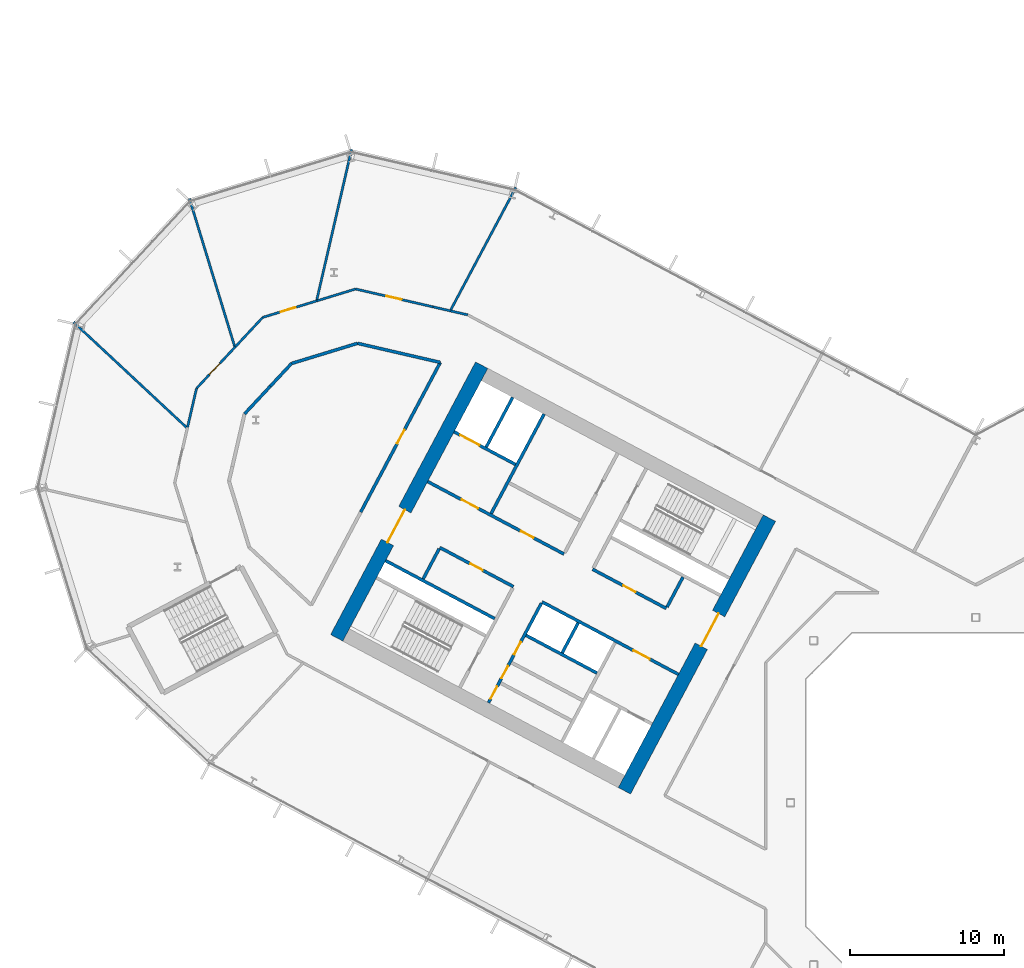
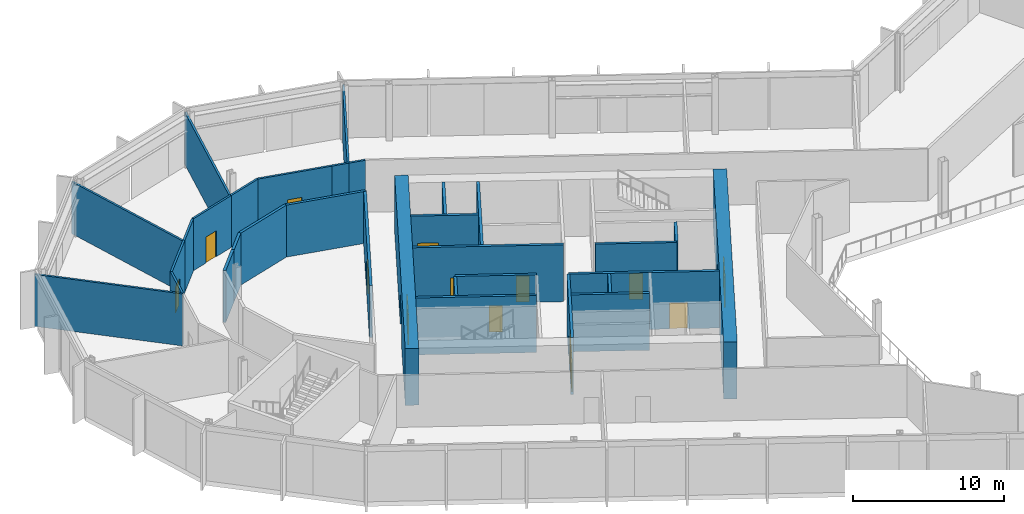
# One storey, part 15 of 30: 32 walls, 15 doors, 15 openings.
"""IFC4 building model written with IfcOpenShell, lengths in metres."""

from ifc_helpers import new_model, si_unit, direction, frame, frame_2d, origin, place, context, subcontext, project, spatial, rectangle, extrude, material, layer, layer_set, type_object, element, fill, save


model = new_model("IFC4")

# Units and contexts
model_context = context("Model", 3, precision=1e-05, world=origin(), true_north=direction((0.0, 1.0)))
body_context = subcontext(model_context, "Body", "Model", "MODEL_VIEW")
ifc_project = project(units=[si_unit("LENGTHUNIT", "METRE"), si_unit("AREAUNIT", "SQUARE_METRE"), si_unit("VOLUMEUNIT", "CUBIC_METRE"), si_unit("PLANEANGLEUNIT", "RADIAN"), si_unit("MASSUNIT", "GRAM", prefix="KILO")], contexts=[model_context])

# Site, building, storey
site_placement = place(None, origin())
site = spatial("IfcSite", under=ifc_project, at=site_placement, CompositionType="ELEMENT")
building_placement = place(site_placement, origin())
building = spatial("IfcBuilding", under=site, at=building_placement, Name="Cormorant Relay Tower", CompositionType="ELEMENT")
storey_placement = place(building_placement, frame((0.0, 0.0, 84.60009765625)))
storey = spatial("IfcBuildingStorey", under=building, at=storey_placement, Name="L16", CompositionType="ELEMENT", Elevation=84.60009765625)

# Walls
ifc_material_1 = material(Name="Concrete 40 MPa", Category="concrete")
ifc_layer_1 = layer(ifc_material_1, 0.199951171875)
ifc_layer_set_1 = layer_set([ifc_layer_1], Name="Core internal wall 200")
wall_type_1 = type_object("IfcWallType", Name="Core internal wall 200", PredefinedType="SOLIDWALL", material=ifc_layer_set_1)
wall_1_placement = place(storey_placement, frame((-25.744140625, 11.64990234375, 0.0), z_axis=(0.0, 0.0, 1.0), x_axis=(-0.469487830541, -0.882938942948, 0.0)))
element("IfcWall", 1, at=wall_1_placement, inside=storey, type_object=wall_type_1, Name="L16 core A shaft and room wall", PredefinedType="SOLIDWALL", context=body_context, shape_type="SweptSolid", body=[
    extrude(rectangle(XDim=2.2001953125, YDim=0.199951171875, at=frame_2d((1.10009765625, 0.0))), origin(), (0.0, 0.0, 1.0), 4.599853515625),
])
ifc_material_2 = material(Name="Concrete 50 MPa", Category="concrete")
ifc_layer_2 = layer(ifc_material_2, 0.199951171875)
ifc_layer_set_2 = layer_set([ifc_layer_2], Name="Core shaft wall 200")
wall_type_2 = type_object("IfcWallType", Name="Core shaft wall 200", PredefinedType="SHEAR", material=ifc_layer_set_2)
wall_2_placement = place(storey_placement, frame((-18.959716796875, 14.611328125, 0.0), z_axis=(0.0, 0.0, 1.0), x_axis=(-0.4694473164, -0.882960484464, 0.0)))
element("IfcWall", 2, at=wall_2_placement, inside=storey, type_object=wall_type_2, Name="L16 core A shaft wall", PredefinedType="SHEAR", context=body_context, shape_type="SweptSolid", body=[
    extrude(rectangle(XDim=2.199951171875, YDim=0.199951171875, at=frame_2d((1.10009765625, 0.0))), origin(), (0.0, 0.0, 1.0), 4.599853515625),
])

# Wall, openings, doors
wall_3_placement = place(storey_placement, frame((-28.128173828125, 12.91748046875, 0.0), z_axis=(0.0, 0.0, 1.0), x_axis=(-0.469454336211, -0.882956752176, 0.0)))
wall_3 = element("IfcWall", 3, at=wall_3_placement, inside=storey, type_object=wall_type_2, Name="L16 core A shaft wall", PredefinedType="SHEAR", context=body_context, shape_type="SweptSolid", body=[
    extrude(rectangle(XDim=7.300048828125, YDim=0.199951171875, at=frame_2d((3.64990234375, 0.0))), origin(), (0.0, 0.0, 1.0), 4.599853515625),
])
opening_1_placement = place(wall_3_placement, frame((2.85009765625, 0.0, 0.0)))
opening_1 = element("IfcOpeningElement", 4, at=opening_1_placement, cuts=wall_3, Name="Opening CDD-129", PredefinedType="OPENING", context=body_context, shape_type="SweptSolid", body=[
    extrude(rectangle(XDim=0.89990234375, YDim=2.10009765625, at=frame_2d((0.449951171875, 1.050048828125))), frame((0.0, 0.10986328125, 0.0), z_axis=(0.0, -1.0, 0.0), x_axis=(1.0, 0.0, 0.0)), (0.0, 0.0, 1.0), 0.219970703125),
])
opening_2_placement = place(wall_3_placement, frame((4.60009765625, 0.0, 0.0)))
opening_2 = element("IfcOpeningElement", 5, at=opening_2_placement, cuts=wall_3, Name="Opening CDD-130", PredefinedType="OPENING", context=body_context, shape_type="SweptSolid", body=[
    extrude(rectangle(XDim=0.89990234375, YDim=2.10009765625, at=frame_2d((0.449951171875, 1.050048828125))), frame((0.0, 0.10986328125, 0.0), z_axis=(0.0, -1.0, 0.0), x_axis=(1.0, 0.0, 0.0)), (0.0, 0.0, 1.0), 0.219970703125),
])
opening_3_placement = place(wall_3_placement, frame((6.10009765625, 0.0, 0.0)))
opening_3 = element("IfcOpeningElement", 6, at=opening_3_placement, cuts=wall_3, Name="Opening CDD-131", PredefinedType="OPENING", context=body_context, shape_type="SweptSolid", body=[
    extrude(rectangle(XDim=0.89990234375, YDim=2.10009765625, at=frame_2d((0.449951171875, 1.050048828125))), frame((0.0, 0.10986328125, 0.0), z_axis=(0.0, -1.0, 0.0), x_axis=(1.0, 0.0, 0.0)), (0.0, 0.0, 1.0), 0.219970703125),
])
ifc_material_3 = material(Name="Steel fire door", Category="steel")
door_type_1 = type_object("IfcDoorType", Name="Core room door 900x2100", OperationType="SINGLE_SWING_LEFT", PredefinedType="DOOR", material=ifc_material_3)
door_1_placement = place(opening_1_placement, origin())
door_1 = element("IfcDoor", 7, at=door_1_placement, inside=storey, type_object=door_type_1, Name="Core room door 900x2100", OperationType="SINGLE_SWING_LEFT", OverallHeight=2.10009765625, OverallWidth=0.89990234375, PredefinedType="DOOR", context=body_context, shape_type="SweptSolid", body=[
    extrude(rectangle(XDim=0.89990234375, YDim=2.10009765625, at=frame_2d((0.449951171875, 1.050048828125))), frame((0.0, 0.02490234375, 0.0), z_axis=(0.0, -1.0, 0.0), x_axis=(1.0, 0.0, 0.0)), (0.0, 0.0, 1.0), 0.050048828125),
])
fill(opening_1, door_1)
door_2_placement = place(opening_2_placement, origin())
door_2 = element("IfcDoor", 8, at=door_2_placement, inside=storey, type_object=door_type_1, Name="Core room door 900x2100", OperationType="SINGLE_SWING_LEFT", OverallHeight=2.10009765625, OverallWidth=0.89990234375, PredefinedType="DOOR", context=body_context, shape_type="SweptSolid", body=[
    extrude(rectangle(XDim=0.89990234375, YDim=2.10009765625, at=frame_2d((0.449951171875, 1.050048828125))), frame((0.0, 0.02490234375, 0.0), z_axis=(0.0, -1.0, 0.0), x_axis=(1.0, 0.0, 0.0)), (0.0, 0.0, 1.0), 0.050048828125),
])
fill(opening_2, door_2)
door_3_placement = place(opening_3_placement, origin())
door_3 = element("IfcDoor", 9, at=door_3_placement, inside=storey, type_object=door_type_1, Name="Core room door 900x2100", OperationType="SINGLE_SWING_LEFT", OverallHeight=2.10009765625, OverallWidth=0.89990234375, PredefinedType="DOOR", context=body_context, shape_type="SweptSolid", body=[
    extrude(rectangle(XDim=0.89990234375, YDim=2.10009765625, at=frame_2d((0.449951171875, 1.050048828125))), frame((0.0, 0.02490234375, 0.0), z_axis=(0.0, -1.0, 0.0), x_axis=(1.0, 0.0, 0.0)), (0.0, 0.0, 1.0), 0.050048828125),
])
fill(opening_3, door_3)

# Walls
wall_4_placement = place(storey_placement, frame((-27.955322265625, 25.170654296875, 0.0), z_axis=(0.0, 0.0, 1.0), x_axis=(-0.469480409012, -0.88294288918, 0.0)))
element("IfcWall", 10, at=wall_4_placement, inside=storey, type_object=wall_type_2, Name="L16 core A shaft wall", PredefinedType="SHEAR", context=body_context, shape_type="SweptSolid", body=[
    extrude(rectangle(XDim=7.300048828125, YDim=0.199951171875, at=frame_2d((3.64990234375, 0.0))), origin(), (0.0, 0.0, 1.0), 4.599853515625),
])
wall_5_placement = place(storey_placement, frame((-34.750244140625, 16.4384765625, 0.0), z_axis=(0.0, 0.0, 1.0), x_axis=(-0.469401318492, -0.882984938828, 0.0)))
element("IfcWall", 11, at=wall_5_placement, inside=storey, type_object=wall_type_2, Name="L16 core A shaft wall", PredefinedType="SHEAR", context=body_context, shape_type="SweptSolid", body=[
    extrude(rectangle(XDim=2.199951171875, YDim=0.199951171875, at=frame_2d((1.10009765625, 0.0))), origin(), (0.0, 0.0, 1.0), 4.599853515625),
])
wall_6_placement = place(storey_placement, frame((-29.986083984375, 26.250244140625, 0.0), z_axis=(0.0, 0.0, 1.0), x_axis=(-0.469494272526, -0.882935517501, 0.0)))
element("IfcWall", 12, at=wall_6_placement, inside=storey, type_object=wall_type_2, Name="L16 core A shaft wall", PredefinedType="SHEAR", context=body_context, shape_type="SweptSolid", body=[
    extrude(rectangle(XDim=3.64990234375, YDim=0.199951171875, at=frame_2d((1.824951171875, 0.0))), origin(), (0.0, 0.0, 1.0), 4.599853515625),
])

# Wall, opening, door
wall_7_placement = place(storey_placement, frame((-29.80419921875, 21.906494140625, 0.0), z_axis=(0.0, 0.0, 1.0), x_axis=(-0.882960433586, 0.469447412093, 0.0)))
wall_7 = element("IfcWall", 13, at=wall_7_placement, inside=storey, type_object=wall_type_2, Name="L16 core A shaft wall", PredefinedType="SHEAR", context=body_context, shape_type="SweptSolid", body=[
    extrude(rectangle(XDim=4.5, YDim=0.199951171875, at=frame_2d((2.25, 0.0))), origin(), (0.0, 0.0, 1.0), 4.599853515625),
])
opening_4_placement = place(wall_7_placement, frame((2.64990234375, 0.0, 0.0)))
opening_4 = element("IfcOpeningElement", 14, at=opening_4_placement, cuts=wall_7, Name="Opening LD3-009", PredefinedType="OPENING", context=body_context, shape_type="SweptSolid", body=[
    extrude(rectangle(XDim=1.39990234375, YDim=2.39990234375, at=frame_2d((0.699951171875, 1.199951171875))), frame((0.0, 0.10986328125, 0.0), z_axis=(0.0, -1.0, 0.0), x_axis=(1.0, 0.0, 0.0)), (0.0, 0.0, 1.0), 0.219970703125),
])
ifc_material_4 = material(Name="Stainless steel 316", Category="steel")
door_type_2 = type_object("IfcDoorType", Name="Lift landing door 1400x2400", OperationType="DOUBLE_DOOR_SLIDING", PredefinedType="DOOR", material=ifc_material_4)
door_4_placement = place(opening_4_placement, origin())
door_4 = element("IfcDoor", 15, at=door_4_placement, inside=storey, type_object=door_type_2, Name="SV1 landing door", OperationType="DOUBLE_DOOR_SLIDING", OverallHeight=2.39990234375, OverallWidth=1.39990234375, PredefinedType="DOOR", context=body_context, shape_type="SweptSolid", body=[
    extrude(rectangle(XDim=1.39990234375, YDim=2.39990234375, at=frame_2d((0.699951171875, 1.199951171875))), frame((0.0, 0.02490234375, 0.0), z_axis=(0.0, -1.0, 0.0), x_axis=(1.0, 0.0, 0.0)), (0.0, 0.0, 1.0), 0.050048828125),
])
fill(opening_4, door_4)

wall_8_placement = place(storey_placement, frame((-20.03955078125, 12.58056640625, 0.0), z_axis=(0.0, 0.0, 1.0), x_axis=(-0.882942972946, 0.469480251476, 0.0)))
wall_8 = element("IfcWall", 16, at=wall_8_placement, inside=storey, type_object=wall_type_2, Name="L16 core A shaft wall", PredefinedType="SHEAR", context=body_context, shape_type="SweptSolid", body=[
    extrude(rectangle(XDim=5.39990234375, YDim=0.199951171875, at=frame_2d((2.699951171875, 0.0))), origin(), (0.0, 0.0, 1.0), 4.599853515625),
])
opening_5_placement = place(wall_8_placement, frame((2.25, 0.0, 0.0)))
opening_5 = element("IfcOpeningElement", 17, at=opening_5_placement, cuts=wall_8, Name="Opening CDD-127", PredefinedType="OPENING", context=body_context, shape_type="SweptSolid", body=[
    extrude(rectangle(XDim=0.89990234375, YDim=2.10009765625, at=frame_2d((0.449951171875, 1.050048828125))), frame((0.0, 0.10986328125, 0.0), z_axis=(0.0, -1.0, 0.0), x_axis=(1.0, 0.0, 0.0)), (0.0, 0.0, 1.0), 0.219970703125),
])
door_5_placement = place(opening_5_placement, frame((0.89990234375, 0.0, 0.0), z_axis=(0.0, 0.0, 1.0), x_axis=(-1.0, 0.0, 0.0)))
door_5 = element("IfcDoor", 18, at=door_5_placement, inside=storey, type_object=door_type_1, Name="Core room door 900x2100", OperationType="SINGLE_SWING_RIGHT", OverallHeight=2.10009765625, OverallWidth=0.89990234375, PredefinedType="DOOR", context=body_context, shape_type="SweptSolid", body=[
    extrude(rectangle(XDim=0.89990234375, YDim=2.10009765625, at=frame_2d((0.449951171875, 1.050048828125))), frame((0.0, 0.02490234375, 0.0), z_axis=(0.0, -1.0, 0.0), x_axis=(1.0, 0.0, 0.0)), (0.0, 0.0, 1.0), 0.050048828125),
])
fill(opening_5, door_5)

# Wall, openings, doors
wall_9_placement = place(storey_placement, frame((-26.66162109375, 16.1015625, 0.0), z_axis=(0.0, 0.0, 1.0), x_axis=(-0.882940221191, 0.469485426614, 0.0)))
wall_9 = element("IfcWall", 19, at=wall_9_placement, inside=storey, type_object=wall_type_2, Name="L16 core A shaft wall", PredefinedType="SHEAR", context=body_context, shape_type="SweptSolid", body=[
    extrude(rectangle(XDim=10.0, YDim=0.199951171875, at=frame_2d((5.0, 0.0))), origin(), (0.0, 0.0, 1.0), 4.599853515625),
])
opening_6_placement = place(wall_9_placement, frame((6.300048828125, 0.0, 0.0)))
opening_6 = element("IfcOpeningElement", 20, at=opening_6_placement, cuts=wall_9, Name="Opening CDC-018", PredefinedType="OPENING", context=body_context, shape_type="SweptSolid", body=[
    extrude(rectangle(XDim=1.199951171875, YDim=2.10009765625, at=frame_2d((0.60009765625, 1.050048828125))), frame((0.0, 0.10986328125, 0.0), z_axis=(0.0, -1.0, 0.0), x_axis=(1.0, 0.0, 0.0)), (0.0, 0.0, 1.0), 0.219970703125),
])
opening_7_placement = place(wall_9_placement, frame((2.25, 0.0, 0.0)))
opening_7 = element("IfcOpeningElement", 21, at=opening_7_placement, cuts=wall_9, Name="Opening CDD-128", PredefinedType="OPENING", context=body_context, shape_type="SweptSolid", body=[
    extrude(rectangle(XDim=0.89990234375, YDim=2.10009765625, at=frame_2d((0.449951171875, 1.050048828125))), frame((0.0, 0.10986328125, 0.0), z_axis=(0.0, -1.0, 0.0), x_axis=(1.0, 0.0, 0.0)), (0.0, 0.0, 1.0), 0.219970703125),
])
ifc_material_5 = material(Name="Steel fire door", Category="steel")
door_type_3 = type_object("IfcDoorType", Name="Core lobby door 1200x2100", OperationType="SINGLE_SWING_LEFT", PredefinedType="DOOR", material=ifc_material_5)
door_6_placement = place(opening_6_placement, origin())
door_6 = element("IfcDoor", 22, at=door_6_placement, inside=storey, type_object=door_type_3, Name="Core lobby door 1200x2100", OperationType="SINGLE_SWING_LEFT", OverallHeight=2.10009765625, OverallWidth=1.199951171875, PredefinedType="DOOR", context=body_context, shape_type="SweptSolid", body=[
    extrude(rectangle(XDim=1.199951171875, YDim=2.10009765625, at=frame_2d((0.60009765625, 1.050048828125))), frame((0.0, 0.02490234375, 0.0), z_axis=(0.0, -1.0, 0.0), x_axis=(1.0, 0.0, 0.0)), (0.0, 0.0, 1.0), 0.050048828125),
])
fill(opening_6, door_6)
door_7_placement = place(opening_7_placement, origin())
door_7 = element("IfcDoor", 23, at=door_7_placement, inside=storey, type_object=door_type_1, Name="Core room door 900x2100", OperationType="SINGLE_SWING_LEFT", OverallHeight=2.10009765625, OverallWidth=0.89990234375, PredefinedType="DOOR", context=body_context, shape_type="SweptSolid", body=[
    extrude(rectangle(XDim=0.89990234375, YDim=2.10009765625, at=frame_2d((0.449951171875, 1.050048828125))), frame((0.0, 0.02490234375, 0.0), z_axis=(0.0, -1.0, 0.0), x_axis=(1.0, 0.0, 0.0)), (0.0, 0.0, 1.0), 0.050048828125),
])
fill(opening_7, door_7)

# Wall, opening, door
wall_10_placement = place(storey_placement, frame((-19.251708984375, 8.31103515625, 0.0), z_axis=(0.0, 0.0, 1.0), x_axis=(-0.882955722218, 0.469456273365, 0.0)))
wall_10 = element("IfcWall", 24, at=wall_10_placement, inside=storey, type_object=wall_type_2, Name="L16 core A shaft wall", PredefinedType="SHEAR", context=body_context, shape_type="SweptSolid", body=[
    extrude(rectangle(XDim=10.0, YDim=0.199951171875, at=frame_2d((5.0, 0.0))), origin(), (0.0, 0.0, 1.0), 4.599853515625),
])
opening_8_placement = place(wall_10_placement, frame((2.10009765625, 0.0, 0.0)))
opening_8 = element("IfcOpeningElement", 25, at=opening_8_placement, cuts=wall_10, Name="Opening CDC-017", PredefinedType="OPENING", context=body_context, shape_type="SweptSolid", body=[
    extrude(rectangle(XDim=1.199951171875, YDim=2.10009765625, at=frame_2d((0.60009765625, 1.050048828125))), frame((0.0, 0.10986328125, 0.0), z_axis=(0.0, -1.0, 0.0), x_axis=(1.0, 0.0, 0.0)), (0.0, 0.0, 1.0), 0.219970703125),
])
door_8_placement = place(opening_8_placement, origin())
door_8 = element("IfcDoor", 26, at=door_8_placement, inside=storey, type_object=door_type_3, Name="Core lobby door 1200x2100", OperationType="SINGLE_SWING_RIGHT", OverallHeight=2.10009765625, OverallWidth=1.199951171875, PredefinedType="DOOR", context=body_context, shape_type="SweptSolid", body=[
    extrude(rectangle(XDim=1.199951171875, YDim=2.10009765625, at=frame_2d((0.60009765625, 1.050048828125))), frame((0.0, 0.02490234375, 0.0), z_axis=(0.0, -1.0, 0.0), x_axis=(1.0, 0.0, 0.0)), (0.0, 0.0, 1.0), 0.050048828125),
])
fill(opening_8, door_8)

wall_11_placement = place(storey_placement, frame((-29.935302734375, 13.991455078125, 0.0), z_axis=(0.0, 0.0, 1.0), x_axis=(-0.882952937579, 0.469461510692, 0.0)))
wall_11 = element("IfcWall", 27, at=wall_11_placement, inside=storey, type_object=wall_type_2, Name="L16 core A shaft wall", PredefinedType="SHEAR", context=body_context, shape_type="SweptSolid", body=[
    extrude(rectangle(XDim=5.400146484375, YDim=0.199951171875, at=frame_2d((2.7001953125, 0.0))), origin(), (0.0, 0.0, 1.0), 4.599853515625),
])
opening_9_placement = place(wall_11_placement, frame((2.25, 0.0, 0.0)))
opening_9 = element("IfcOpeningElement", 28, at=opening_9_placement, cuts=wall_11, Name="Opening CDD-126", PredefinedType="OPENING", context=body_context, shape_type="SweptSolid", body=[
    extrude(rectangle(XDim=0.89990234375, YDim=2.10009765625, at=frame_2d((0.449951171875, 1.050048828125))), frame((0.0, 0.10986328125, 0.0), z_axis=(0.0, -1.0, 0.0), x_axis=(1.0, 0.0, 0.0)), (0.0, 0.0, 1.0), 0.219970703125),
])
door_9_placement = place(opening_9_placement, origin())
door_9 = element("IfcDoor", 29, at=door_9_placement, inside=storey, type_object=door_type_1, Name="Core room door 900x2100", OperationType="SINGLE_SWING_LEFT", OverallHeight=2.10009765625, OverallWidth=0.89990234375, PredefinedType="DOOR", context=body_context, shape_type="SweptSolid", body=[
    extrude(rectangle(XDim=0.89990234375, YDim=2.10009765625, at=frame_2d((0.449951171875, 1.050048828125))), frame((0.0, 0.02490234375, 0.0), z_axis=(0.0, -1.0, 0.0), x_axis=(1.0, 0.0, 0.0)), (0.0, 0.0, 1.0), 0.050048828125),
])
fill(opening_9, door_9)

# Walls
wall_12_placement = place(storey_placement, frame((-24.5283203125, 8.3984375, 0.0), z_axis=(0.0, 0.0, 1.0), x_axis=(-0.882953967957, 0.469459572775, 0.0)))
element("IfcWall", 30, at=wall_12_placement, inside=storey, type_object=wall_type_2, Name="L16 core A shaft wall", PredefinedType="SHEAR", context=body_context, shape_type="SweptSolid", body=[
    extrude(rectangle(XDim=5.199951171875, YDim=0.199951171875, at=frame_2d((2.60009765625, 0.0))), origin(), (0.0, 0.0, 1.0), 4.599853515625),
])
wall_13_placement = place(storey_placement, frame((-31.150390625, 11.91943359375, 0.0), z_axis=(0.0, 0.0, 1.0), x_axis=(-0.882940221191, 0.469485426614, 0.0)))
element("IfcWall", 31, at=wall_13_placement, inside=storey, type_object=wall_type_2, Name="L16 core A shaft wall", PredefinedType="SHEAR", context=body_context, shape_type="SweptSolid", body=[
    extrude(rectangle(XDim=8.0, YDim=0.199951171875, at=frame_2d((4.0, 0.0))), origin(), (0.0, 0.0, 1.0), 4.599853515625),
])

# Wall, opening, door
ifc_material_6 = material(Name="Concrete 70 MPa", Category="concrete")
ifc_layer_3 = layer(ifc_material_6, 0.89990234375)
ifc_layer_set_3 = layer_set([ifc_layer_3], Name="Core wall 900")
wall_type_3 = type_object("IfcWallType", Name="Core wall 900", PredefinedType="SHEAR", material=ifc_layer_set_3)
wall_14_placement = place(storey_placement, frame((-13.361572265625, 18.43017578125, 0.0), z_axis=(0.0, 0.0, 1.0), x_axis=(-0.46947084998, -0.882947971864, 0.0)))
wall_14 = element("IfcWall", 32, at=wall_14_placement, inside=storey, type_object=wall_type_3, Name="L16 core A wall", PredefinedType="SHEAR", context=body_context, shape_type="SweptSolid", body=[
    extrude(rectangle(XDim=20.0, YDim=0.89990234375, at=frame_2d((10.0, 0.0))), origin(), (0.0, 0.0, 1.0), 4.599853515625),
])
opening_10_placement = place(wall_14_placement, frame((7.0, 0.0, 0.0)))
opening_10 = element("IfcOpeningElement", 33, at=opening_10_placement, cuts=wall_14, Name="Opening CDA-021", PredefinedType="OPENING", context=body_context, shape_type="SweptSolid", body=[
    extrude(rectangle(XDim=2.39990234375, YDim=2.39990234375, at=frame_2d((1.199951171875, 1.199951171875))), frame((0.0, 0.4599609375, 0.0), z_axis=(0.0, -1.0, 0.0), x_axis=(1.0, 0.0, 0.0)), (0.0, 0.0, 1.0), 0.919921875),
])
ifc_material_7 = material(Name="Steel fire door", Category="steel")
door_type_4 = type_object("IfcDoorType", Name="Core lobby door 2400x2400", OperationType="DOUBLE_DOOR_SINGLE_SWING", PredefinedType="DOOR", material=ifc_material_7)
door_10_placement = place(opening_10_placement, origin())
door_10 = element("IfcDoor", 34, at=door_10_placement, inside=storey, type_object=door_type_4, Name="Core lobby door 2400x2400", OperationType="DOUBLE_DOOR_SINGLE_SWING", OverallHeight=2.39990234375, OverallWidth=2.39990234375, PredefinedType="DOOR", context=body_context, shape_type="SweptSolid", body=[
    extrude(rectangle(XDim=2.39990234375, YDim=2.39990234375, at=frame_2d((1.199951171875, 1.199951171875))), frame((0.0, 0.02490234375, 0.0), z_axis=(0.0, -1.0, 0.0), x_axis=(1.0, 0.0, 0.0)), (0.0, 0.0, 1.0), 0.050048828125),
])
fill(opening_10, door_10)

wall_15_placement = place(storey_placement, frame((-31.99169921875, 28.3359375, 0.0), z_axis=(0.0, 0.0, 1.0), x_axis=(-0.46947084998, -0.882947971864, 0.0)))
wall_15 = element("IfcWall", 35, at=wall_15_placement, inside=storey, type_object=wall_type_3, Name="L16 core A wall", PredefinedType="SHEAR", context=body_context, shape_type="SweptSolid", body=[
    extrude(rectangle(XDim=20.0, YDim=0.89990234375, at=frame_2d((10.0, 0.0))), origin(), (0.0, 0.0, 1.0), 4.599853515625),
])
opening_11_placement = place(wall_15_placement, frame((10.60009765625, 0.0, 0.0)))
opening_11 = element("IfcOpeningElement", 36, at=opening_11_placement, cuts=wall_15, Name="Opening CDA-018", PredefinedType="OPENING", context=body_context, shape_type="SweptSolid", body=[
    extrude(rectangle(XDim=2.39990234375, YDim=2.39990234375, at=frame_2d((1.199951171875, 1.199951171875))), frame((0.0, 0.4599609375, 0.0), z_axis=(0.0, -1.0, 0.0), x_axis=(1.0, 0.0, 0.0)), (0.0, 0.0, 1.0), 0.919921875),
])
door_11_placement = place(opening_11_placement, origin())
door_11 = element("IfcDoor", 37, at=door_11_placement, inside=storey, type_object=door_type_4, Name="Core lobby door 2400x2400", OperationType="DOUBLE_DOOR_SINGLE_SWING", OverallHeight=2.39990234375, OverallWidth=2.39990234375, PredefinedType="DOOR", context=body_context, shape_type="SweptSolid", body=[
    extrude(rectangle(XDim=2.39990234375, YDim=2.39990234375, at=frame_2d((1.199951171875, 1.199951171875))), frame((0.0, 0.02490234375, 0.0), z_axis=(0.0, -1.0, 0.0), x_axis=(1.0, 0.0, 0.0)), (0.0, 0.0, 1.0), 0.050048828125),
])
fill(opening_11, door_11)

# Walls
ifc_material_8 = material(Name="Fire-rated gypsum board partition")
ifc_layer_4 = layer(ifc_material_8, 0.199951171875)
ifc_layer_set_4 = layer_set([ifc_layer_4], Name="Fire-rated gypsum partition 200")
wall_type_4 = type_object("IfcWallType", Name="Fire-rated gypsum partition 200", PredefinedType="PARTITIONING", material=ifc_layer_set_4)
wall_16_placement = place(storey_placement, frame((-47.35107421875, 25.177001953125, 0.0), z_axis=(0.0, 0.0, 1.0), x_axis=(0.681950982626, 0.731397878925, 0.0)))
element("IfcWall", 38, at=wall_16_placement, inside=storey, type_object=wall_type_4, Name="wall/L16/part/13", PredefinedType="PARTITIONING", context=body_context, shape_type="SweptSolid", body=[
    extrude(rectangle(XDim=2.4638671875, YDim=0.199951171875, at=frame_2d((1.23193359375, 0.0))), origin(), (0.0, 0.0, 1.0), 4.199951171875),
])
wall_17_placement = place(storey_placement, frame((-40.033935546875, 29.7490234375, 0.0), z_axis=(0.0, 0.0, 1.0), x_axis=(-0.956357512161, -0.29219909126, 0.0)))
element("IfcWall", 39, at=wall_17_placement, inside=storey, type_object=wall_type_4, Name="wall/L16/part/19", PredefinedType="PARTITIONING", context=body_context, shape_type="SweptSolid", body=[
    extrude(rectangle(XDim=4.4658203125, YDim=0.199951171875, at=frame_2d((2.23291015625, 0.0))), origin(), (0.0, 0.0, 1.0), 4.199951171875),
])
wall_18_placement = place(storey_placement, frame((-44.304931640625, 28.444091796875, 0.0), z_axis=(0.0, 0.0, 1.0), x_axis=(-0.681931663517, -0.731415891469, 0.0)))
element("IfcWall", 40, at=wall_18_placement, inside=storey, type_object=wall_type_4, Name="wall/L16/part/20", PredefinedType="PARTITIONING", context=body_context, shape_type="SweptSolid", body=[
    extrude(rectangle(XDim=2.003173828125, YDim=0.199951171875, at=frame_2d((1.00146484375, 0.0))), origin(), (0.0, 0.0, 1.0), 4.199951171875),
])
wall_19_placement = place(storey_placement, frame((-34.673095703125, 28.511962890625, 0.0), z_axis=(0.0, 0.0, 1.0), x_axis=(-0.974393439342, 0.224849784003, 0.0)))
element("IfcWall", 41, at=wall_19_placement, inside=storey, type_object=wall_type_4, Name="wall/L16/part/31", PredefinedType="PARTITIONING", context=body_context, shape_type="SweptSolid", body=[
    extrude(rectangle(XDim=5.501708984375, YDim=0.199951171875, at=frame_2d((2.7509765625, 0.0))), origin(), (0.0, 0.0, 1.0), 4.199951171875),
])

# Wall, opening, door
wall_20_placement = place(storey_placement, frame((-34.673095703125, 28.511962890625, 0.0), z_axis=(0.0, 0.0, 1.0), x_axis=(-0.469440333182, -0.882964197226, 0.0)))
wall_20 = element("IfcWall", 42, at=wall_20_placement, inside=storey, type_object=wall_type_4, Name="wall/L16/part/32", PredefinedType="PARTITIONING", context=body_context, shape_type="SweptSolid", body=[
    extrude(rectangle(XDim=10.9765625, YDim=0.199951171875, at=frame_2d((5.48828125, 0.0))), origin(), (0.0, 0.0, 1.0), 4.199951171875),
])
opening_12_placement = place(wall_20_placement, frame((4.949951171875, 0.0, 0.0)))
opening_12 = element("IfcOpeningElement", 43, at=opening_12_placement, cuts=wall_20, Name="Opening FD1-092", PredefinedType="OPENING", context=body_context, shape_type="SweptSolid", body=[
    extrude(rectangle(XDim=1.0, YDim=2.10009765625, at=frame_2d((0.5, 1.050048828125))), frame((0.0, 0.10986328125, 0.0), z_axis=(0.0, -1.0, 0.0), x_axis=(1.0, 0.0, 0.0)), (0.0, 0.0, 1.0), 0.219970703125),
])
ifc_material_9 = material(Name="Fire-rated steel door", Category="steel")
door_type_5 = type_object("IfcDoorType", Name="Fire door 1000 x 2100", OperationType="SINGLE_SWING_LEFT", PredefinedType="DOOR", material=ifc_material_9)
door_12_placement = place(opening_12_placement, origin())
door_12 = element("IfcDoor", 44, at=door_12_placement, inside=storey, type_object=door_type_5, Name="door/L16/1", OperationType="SINGLE_SWING_LEFT", OverallHeight=2.10009765625, OverallWidth=1.0, PredefinedType="DOOR", context=body_context, shape_type="SweptSolid", body=[
    extrude(rectangle(XDim=1.0, YDim=2.10009765625, at=frame_2d((0.5, 1.050048828125))), frame((0.0, 0.02490234375, 0.0), z_axis=(0.0, -1.0, 0.0), x_axis=(1.0, 0.0, 0.0)), (0.0, 0.0, 1.0), 0.050048828125),
])
fill(opening_12, door_12)

# Wall
ifc_material_10 = material(Name="Gypsum board partition")
ifc_layer_5 = layer(ifc_material_10, 0.14990234375)
ifc_layer_set_5 = layer_set([ifc_layer_5], Name="Gypsum board partition 150")
wall_type_5 = type_object("IfcWallType", Name="Gypsum board partition 150", PredefinedType="PARTITIONING", material=ifc_layer_set_5)
wall_21_placement = place(storey_placement, frame((-58.427001953125, 31.125, 0.0), z_axis=(0.0, 0.0, 1.0), x_axis=(0.731473963822, -0.681869371838, 0.0)))
element("IfcWall", 45, at=wall_21_placement, inside=storey, type_object=wall_type_5, Name="wall/L16/part/2", PredefinedType="PARTITIONING", context=body_context, shape_type="SweptSolid", body=[
    extrude(rectangle(XDim=10.079833984375, YDim=0.14990234375, at=frame_2d((5.0400390625, 0.0))), origin(), (0.0, 0.0, 1.0), 4.199951171875),
])

# Wall, opening, door
wall_22_placement = place(storey_placement, frame((-47.93310546875, 29.5380859375, 0.0), z_axis=(0.0, 0.0, 1.0), x_axis=(-0.682088017664, -0.731270084277, 0.0)))
wall_22 = element("IfcWall", 46, at=wall_22_placement, inside=storey, type_object=wall_type_5, Name="wall/L16/part/7", PredefinedType="PARTITIONING", context=body_context, shape_type="SweptSolid", body=[
    extrude(rectangle(XDim=3.703125, YDim=0.14990234375, at=frame_2d((1.8515625, 0.0))), origin(), (0.0, 0.0, 1.0), 4.199951171875),
])
opening_13_placement = place(wall_22_placement, frame((1.486083984375, 0.0, 0.0)))
opening_13 = element("IfcOpeningElement", 47, at=opening_13_placement, cuts=wall_22, Name="Opening D1-036", PredefinedType="OPENING", context=body_context, shape_type="SweptSolid", body=[
    extrude(rectangle(XDim=1.0, YDim=2.10009765625, at=frame_2d((0.5, 1.050048828125))), frame((0.0, 0.0849609375, 0.0), z_axis=(0.0, -1.0, 0.0), x_axis=(1.0, 0.0, 0.0)), (0.0, 0.0, 1.0), 0.169921875),
])
ifc_material_11 = material(Name="Painted steel door", Category="steel")
door_type_6 = type_object("IfcDoorType", Name="Single door 1000 x 2100", OperationType="SINGLE_SWING_LEFT", PredefinedType="DOOR", material=ifc_material_11)
door_13_placement = place(opening_13_placement, frame((1.0, 0.0, 0.0), z_axis=(0.0, 0.0, 1.0), x_axis=(-1.0, 0.0, 0.0)))
door_13 = element("IfcDoor", 48, at=door_13_placement, inside=storey, type_object=door_type_6, Name="door/L16/15", OperationType="SINGLE_SWING_RIGHT", OverallHeight=2.10009765625, OverallWidth=1.0, PredefinedType="DOOR", context=body_context, shape_type="SweptSolid", body=[
    extrude(rectangle(XDim=1.0, YDim=2.10009765625, at=frame_2d((0.5, 1.050048828125))), frame((0.0, 0.02490234375, 0.0), z_axis=(0.0, -1.0, 0.0), x_axis=(1.0, 0.0, 0.0)), (0.0, 0.0, 1.0), 0.050048828125),
])
fill(opening_13, door_13)

# Walls
wall_23_placement = place(storey_placement, frame((-50.458984375, 26.830078125, 0.0), z_axis=(0.0, 0.0, 1.0), x_axis=(-0.225121568864, -0.974330682691, 0.0)))
element("IfcWall", 49, at=wall_23_placement, inside=storey, type_object=wall_type_5, Name="wall/L16/part/8", PredefinedType="PARTITIONING", context=body_context, shape_type="SweptSolid", body=[
    extrude(rectangle(XDim=2.58544921875, YDim=0.14990234375, at=frame_2d((1.292724609375, 0.0))), origin(), (0.0, 0.0, 1.0), 4.199951171875),
])
wall_24_placement = place(storey_placement, frame((-50.922119140625, 39.133056640625, 0.0), z_axis=(0.0, 0.0, 1.0), x_axis=(0.292463432429, -0.956276707178, 0.0)))
element("IfcWall", 50, at=wall_24_placement, inside=storey, type_object=wall_type_5, Name="wall/L16/part/9", PredefinedType="PARTITIONING", context=body_context, shape_type="SweptSolid", body=[
    extrude(rectangle(XDim=10.079833984375, YDim=0.14990234375, at=frame_2d((5.0400390625, 0.0))), origin(), (0.0, 0.0, 1.0), 4.199951171875),
])

# Wall, opening, door
wall_25_placement = place(storey_placement, frame((-42.653076171875, 32.50390625, 0.0), z_axis=(0.0, 0.0, 1.0), x_axis=(-0.95632425254, -0.292307926687, 0.0)))
wall_25 = element("IfcWall", 51, at=wall_25_placement, inside=storey, type_object=wall_type_5, Name="wall/L16/part/17", PredefinedType="PARTITIONING", context=body_context, shape_type="SweptSolid", body=[
    extrude(rectangle(XDim=3.677490234375, YDim=0.14990234375, at=frame_2d((1.8388671875, 0.0))), origin(), (0.0, 0.0, 1.0), 4.199951171875),
])
opening_14_placement = place(wall_25_placement, frame((1.4609375, 0.0, 0.0)))
opening_14 = element("IfcOpeningElement", 52, at=opening_14_placement, cuts=wall_25, Name="Opening D1-035", PredefinedType="OPENING", context=body_context, shape_type="SweptSolid", body=[
    extrude(rectangle(XDim=1.0, YDim=2.10009765625, at=frame_2d((0.5, 1.050048828125))), frame((0.0, 0.0849609375, 0.0), z_axis=(0.0, -1.0, 0.0), x_axis=(1.0, 0.0, 0.0)), (0.0, 0.0, 1.0), 0.169921875),
])
door_14_placement = place(opening_14_placement, frame((1.0, 0.0, 0.0), z_axis=(0.0, 0.0, 1.0), x_axis=(-1.0, 0.0, 0.0)))
door_14 = element("IfcDoor", 53, at=door_14_placement, inside=storey, type_object=door_type_6, Name="door/L16/14", OperationType="SINGLE_SWING_RIGHT", OverallHeight=2.10009765625, OverallWidth=1.0, PredefinedType="DOOR", context=body_context, shape_type="SweptSolid", body=[
    extrude(rectangle(XDim=1.0, YDim=2.10009765625, at=frame_2d((0.5, 1.050048828125))), frame((0.0, 0.02490234375, 0.0), z_axis=(0.0, -1.0, 0.0), x_axis=(1.0, 0.0, 0.0)), (0.0, 0.0, 1.0), 0.050048828125),
])
fill(opening_14, door_14)

# Walls
wall_26_placement = place(storey_placement, frame((-46.169921875, 31.428955078125, 0.0), z_axis=(0.0, 0.0, 1.0), x_axis=(-0.68198172509, -0.731369213628, 0.0)))
element("IfcWall", 54, at=wall_26_placement, inside=storey, type_object=wall_type_5, Name="wall/L16/part/18", PredefinedType="PARTITIONING", context=body_context, shape_type="SweptSolid", body=[
    extrude(rectangle(XDim=2.58544921875, YDim=0.14990234375, at=frame_2d((1.292724609375, 0.0))), origin(), (0.0, 0.0, 1.0), 4.199951171875),
])
wall_27_placement = place(storey_placement, frame((-40.4189453125, 42.31494140625, 0.0), z_axis=(0.0, 0.0, 1.0), x_axis=(-0.224924959868, -0.974376088802, 0.0)))
element("IfcWall", 55, at=wall_27_placement, inside=storey, type_object=wall_type_5, Name="wall/L16/part/28", PredefinedType="PARTITIONING", context=body_context, shape_type="SweptSolid", body=[
    extrude(rectangle(XDim=10.079345703125, YDim=0.14990234375, at=frame_2d((5.03955078125, 0.0))), origin(), (0.0, 0.0, 1.0), 4.199951171875),
])
wall_28_placement = place(storey_placement, frame((-40.156005859375, 33.26708984375, 0.0), z_axis=(0.0, 0.0, 1.0), x_axis=(-0.956331245239, -0.292285048164, 0.0)))
element("IfcWall", 56, at=wall_28_placement, inside=storey, type_object=wall_type_5, Name="wall/L16/part/29", PredefinedType="PARTITIONING", context=body_context, shape_type="SweptSolid", body=[
    extrude(rectangle(XDim=2.611083984375, YDim=0.14990234375, at=frame_2d((1.3056640625, 0.0))), origin(), (0.0, 0.0, 1.0), 4.199951171875),
])

# Wall, opening, door
wall_29_placement = place(storey_placement, frame((-40.156982421875, 33.26708984375, 0.0), z_axis=(0.0, 0.0, 1.0), x_axis=(0.974407195754, -0.224790161846, 0.0)))
wall_29 = element("IfcWall", 57, at=wall_29_placement, inside=storey, type_object=wall_type_5, Name="wall/L16/part/30", PredefinedType="PARTITIONING", context=body_context, shape_type="SweptSolid", body=[
    extrude(rectangle(XDim=5.142578125, YDim=0.14990234375, at=frame_2d((2.5712890625, 0.0))), origin(), (0.0, 0.0, 1.0), 4.199951171875),
])
opening_15_placement = place(wall_29_placement, frame((2.050048828125, 0.0, 0.0)))
opening_15 = element("IfcOpeningElement", 58, at=opening_15_placement, cuts=wall_29, Name="Opening D1-034", PredefinedType="OPENING", context=body_context, shape_type="SweptSolid", body=[
    extrude(rectangle(XDim=1.0, YDim=2.10009765625, at=frame_2d((0.5, 1.050048828125))), frame((0.0, 0.0849609375, 0.0), z_axis=(0.0, -1.0, 0.0), x_axis=(1.0, 0.0, 0.0)), (0.0, 0.0, 1.0), 0.169921875),
])
door_15_placement = place(opening_15_placement, origin())
door_15 = element("IfcDoor", 59, at=door_15_placement, inside=storey, type_object=door_type_6, Name="door/L16/13", OperationType="SINGLE_SWING_RIGHT", OverallHeight=2.10009765625, OverallWidth=1.0, PredefinedType="DOOR", context=body_context, shape_type="SweptSolid", body=[
    extrude(rectangle(XDim=1.0, YDim=2.10009765625, at=frame_2d((0.5, 1.050048828125))), frame((0.0, 0.02490234375, 0.0), z_axis=(0.0, -1.0, 0.0), x_axis=(1.0, 0.0, 0.0)), (0.0, 0.0, 1.0), 0.050048828125),
])
fill(opening_15, door_15)

# Walls
wall_30_placement = place(storey_placement, frame((-35.14599609375, 32.111083984375, 0.0), z_axis=(0.0, 0.0, 1.0), x_axis=(0.974164552701, -0.225839377125, 0.0)))
element("IfcWall", 60, at=wall_30_placement, inside=storey, type_object=wall_type_5, Name="wall/L16/part/34", PredefinedType="PARTITIONING", context=body_context, shape_type="SweptSolid", body=[
    extrude(rectangle(XDim=1.1826171875, YDim=0.14990234375, at=frame_2d((0.59130859375, 0.0))), origin(), (0.0, 0.0, 1.0), 4.199951171875),
])
wall_31_placement = place(storey_placement, frame((-29.779052734375, 39.845947265625, 0.0), z_axis=(0.0, 0.0, 1.0), x_axis=(-0.469479235169, -0.882943513338, 0.0)))
element("IfcWall", 61, at=wall_31_placement, inside=storey, type_object=wall_type_5, Name="wall/L16/part/35", PredefinedType="PARTITIONING", context=body_context, shape_type="SweptSolid", body=[
    extrude(rectangle(XDim=9.052490234375, YDim=0.14990234375, at=frame_2d((4.5263671875, 0.0))), origin(), (0.0, 0.0, 1.0), 4.199951171875),
])
wall_32_placement = place(storey_placement, frame((-32.89404296875, 31.590087890625, 0.0), z_axis=(0.0, 0.0, 1.0), x_axis=(-0.97437296606, 0.22493848717, 0.0)))
element("IfcWall", 62, at=wall_32_placement, inside=storey, type_object=wall_type_5, Name="wall/L16/part/36", PredefinedType="PARTITIONING", context=body_context, shape_type="SweptSolid", body=[
    extrude(rectangle(XDim=1.128662109375, YDim=0.14990234375, at=frame_2d((0.564453125, 0.0))), origin(), (0.0, 0.0, 1.0), 4.199951171875),
])

save(model, "model.ifc")
